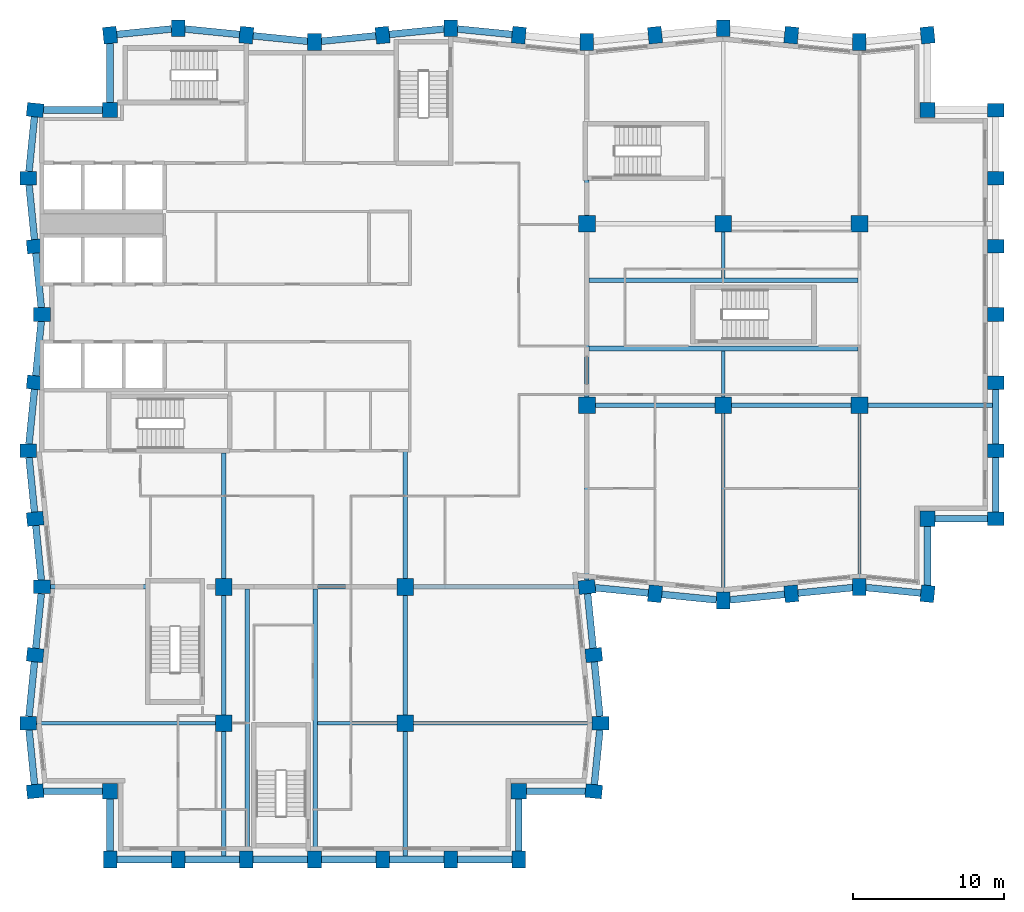
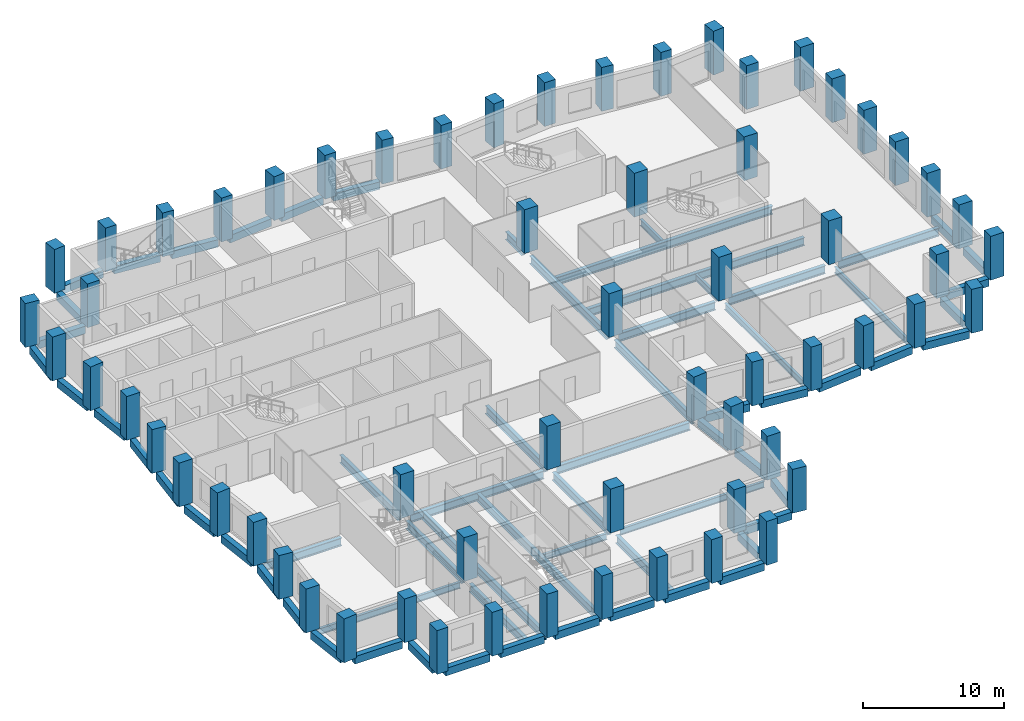
# One storey, part 1 of 10: 66 beams, 62 columns.
"""IFC4 building model written with IfcOpenShell, lengths in metres."""

from ifc_helpers import new_model, si_unit, direction, frame, origin, origin_2d, place, context, subcontext, project, spatial, rectangle, i_section, extrude, material, material_profile, profile_set, type_object, element, save


model = new_model("IFC4")

# Units and contexts
model_context = context("Model", 3, precision=1e-05, world=origin(), true_north=direction((0.0, 1.0)))
body_context = subcontext(model_context, "Body", "Model", "MODEL_VIEW")
ifc_project = project(units=[si_unit("LENGTHUNIT", "METRE"), si_unit("AREAUNIT", "SQUARE_METRE"), si_unit("VOLUMEUNIT", "CUBIC_METRE"), si_unit("PLANEANGLEUNIT", "RADIAN"), si_unit("MASSUNIT", "GRAM", prefix="KILO")], contexts=[model_context])

# Site, building, storey
site_placement = place(None, origin())
site = spatial("IfcSite", under=ifc_project, at=site_placement, CompositionType="ELEMENT")
building_placement = place(site_placement, origin())
building = spatial("IfcBuilding", under=site, at=building_placement, Name="Brondeck Convention Tower", CompositionType="ELEMENT")
storey_placement = place(building_placement, frame((0.0, 0.0, 170.0)))
storey = spatial("IfcBuildingStorey", under=building, at=storey_placement, Name="L41", CompositionType="ELEMENT", Elevation=170.0)

# Columns
ifc_material_1 = material(Name="Concrete C70/85", Category="concrete")
ifc_material_profile_1 = material_profile(ifc_material_1, rectangle(XDim=1.0, YDim=1.0, at=origin_2d()), Name="Corner column 1000x1000 Concrete C70/85")
ifc_profile_set_1 = profile_set([ifc_material_profile_1], Name="Concrete C70/85")
column_type_1 = type_object("IfcColumnType", Name="Corner column 1000x1000 Concrete C70/85", PredefinedType="COLUMN", material=ifc_profile_set_1)
for number, where, z_axis, x_axis, name in (
    (1, (4.5, 13.5, 0.0), (0.0, 0.0, 1.0), (1.0, 0.0, 0.0), "STR-COL-L41-NC-SWB9"),
    (2, (31.5, 13.5, 0.0), (0.0, 0.0, 1.0), (1.0, 0.0, 0.0), "STR-COL-L41-NC-SEB9"),
    (3, (58.5, 31.5, 0.0), (0.0, 0.0, 1.0), (1.0, 0.0, 0.0), "STR-COL-L41-NC-SEA63"),
    (4, (58.5, 58.5, 0.0), (0.0, 0.0, 1.0), (1.0, 0.0, 0.0), "STR-COL-L41-NC-NEA63"),
    (5, (4.5, 58.5, 0.0), (0.0, 0.0, 1.0), (1.0, 0.0, 0.0), "STR-COL-L41-NC-NW"),
):
    element("IfcColumn", number, at=place(storey_placement, frame(where, z_axis=z_axis, x_axis=x_axis)), inside=storey, type_object=column_type_1, Name=name, PredefinedType="COLUMN", context=body_context, shape_type="SweptSolid", body=[
        extrude(rectangle(XDim=1.0, YDim=1.0, at=origin_2d()), origin(), (0.0, 0.0, 1.0), 3.800048828125),
    ])
ifc_material_profile_2 = material_profile(ifc_material_1, rectangle(XDim=1.10009765625, YDim=1.10009765625, at=origin_2d()), Name="Interior column 1100x1100 Concrete C70/85")
ifc_profile_set_2 = profile_set([ifc_material_profile_2], Name="Concrete C70/85")
column_type_2 = type_object("IfcColumnType", Name="Interior column 1100x1100 Concrete C70/85", PredefinedType="COLUMN", material=ifc_profile_set_2)
for number, where, z_axis, x_axis, name in (
    (6, (12.0, 18.0, 0.0), (0.0, 0.0, 1.0), (1.0, 0.0, 0.0), "STR-COL-L41-IC-02"),
    (7, (12.0, 27.0, 0.0), (0.0, 0.0, 1.0), (1.0, 0.0, 0.0), "STR-COL-L41-IC-03"),
    (8, (24.0, 18.0, 0.0), (0.0, 0.0, 1.0), (1.0, 0.0, 0.0), "STR-COL-L41-IC-05"),
    (9, (24.0, 27.0, 0.0), (0.0, 0.0, 1.0), (1.0, 0.0, 0.0), "STR-COL-L41-IC-06"),
    (10, (36.0, 39.0, 0.0), (0.0, 0.0, 1.0), (1.0, 0.0, 0.0), "STR-COL-L41-IC-07"),
    (11, (36.0, 51.0, 0.0), (0.0, 0.0, 1.0), (1.0, 0.0, 0.0), "STR-COL-L41-IC-08"),
    (12, (45.0, 39.0, 0.0), (0.0, 0.0, 1.0), (1.0, 0.0, 0.0), "STR-COL-L41-IC-09"),
    (13, (45.0, 51.0, 0.0), (0.0, 0.0, 1.0), (1.0, 0.0, 0.0), "STR-COL-L41-IC-10"),
    (14, (54.0, 39.0, 0.0), (0.0, 0.0, 1.0), (1.0, 0.0, 0.0), "STR-COL-L41-IC-11"),
    (15, (54.0, 51.0, 0.0), (0.0, 0.0, 1.0), (1.0, 0.0, 0.0), "STR-COL-L41-IC-12"),
):
    element("IfcColumn", number, at=place(storey_placement, frame(where, z_axis=z_axis, x_axis=x_axis)), inside=storey, type_object=column_type_2, Name=name, PredefinedType="COLUMN", context=body_context, shape_type="SweptSolid", body=[
        extrude(rectangle(XDim=1.10009765625, YDim=1.10009765625, at=origin_2d()), origin(), (0.0, 0.0, 1.0), 3.800048828125),
    ])
ifc_material_profile_3 = material_profile(ifc_material_1, rectangle(XDim=0.89990234375, YDim=1.10009765625, at=origin_2d()), Name="Perimeter pier 900x1100 Concrete C70/85")
ifc_profile_set_3 = profile_set([ifc_material_profile_3], Name="Concrete C70/85")
column_type_3 = type_object("IfcColumnType", Name="Perimeter pier 900x1100 Concrete C70/85", PredefinedType="COLUMN", material=ifc_profile_set_3)
for number, where, z_axis, x_axis, name in (
    (16, (4.5, 9.0, 0.0), (0.0, 0.0, 1.0), (1.0, 0.0, 0.0), "STR-COL-L41-PC-B-S9-01"),
    (17, (9.0, 9.0, 0.0), (0.0, 0.0, 1.0), (1.0, 0.0, 0.0), "STR-COL-L41-PC-B-S9-02"),
    (18, (13.5, 9.0, 0.0), (0.0, 0.0, 1.0), (1.0, 0.0, 0.0), "STR-COL-L41-PC-B-S9-03"),
    (19, (18.0, 9.0, 0.0), (0.0, 0.0, 1.0), (1.0, 0.0, 0.0), "STR-COL-L41-PC-B-S9-04"),
    (20, (22.5, 9.0, 0.0), (0.0, 0.0, 1.0), (1.0, 0.0, 0.0), "STR-COL-L41-PC-B-S9-05"),
    (21, (27.0, 9.0, 0.0), (0.0, 0.0, 1.0), (1.0, 0.0, 0.0), "STR-COL-L41-PC-B-S9-06"),
    (22, (31.5, 9.0, 0.0), (0.0, 0.0, 1.0), (1.0, 0.0, 0.0), "STR-COL-L41-PC-B-S9-07"),
    (23, (36.449951171875, 13.5, 0.0), (0.0, 0.0, 1.0), (0.0995038382, 0.995037178292, 0.0), "STR-COL-L41-PC-B-E-03"),
    (24, (36.89990234375, 18.0, 0.0), (0.0, 0.0, 1.0), (0.0, 1.0, 0.0), "STR-COL-L41-PC-B-E-02"),
    (25, (36.449951171875, 22.5, 0.0), (0.0, 0.0, 1.0), (-0.0995038382, 0.995037178292, 0.0), "STR-COL-L41-PC-B-E-01"),
    (26, (36.0, 27.0, 0.0), (0.0, 0.0, 1.0), (-0.0995038382, 0.995037178292, 0.0), "STR-COL-L41-PC-B-E-00"),
    (27, (40.5, 26.550048828125, 0.0), (0.0, 0.0, 1.0), (0.995037178292, -0.0995038382, 0.0), "STR-COL-L41-PC-A-S-01"),
    (28, (45.0, 26.10009765625, 0.0), (0.0, 0.0, 1.0), (1.0, 0.0, 0.0), "STR-COL-L41-PC-A-S-02"),
    (29, (49.5, 26.550048828125, 0.0), (0.0, 0.0, 1.0), (0.995037178292, 0.0995038382, 0.0), "STR-COL-L41-PC-A-S-03"),
    (30, (54.0, 27.0, 0.0), (0.0, 0.0, 1.0), (1.0, 0.0, 0.0), "STR-COL-L41-PC-A-S-04"),
    (31, (58.5, 26.550048828125, 0.0), (0.0, 0.0, 1.0), (0.995037178292, -0.0995038382, 0.0), "STR-COL-L41-PC-A-S-05"),
    (32, (63.0, 31.5, 0.0), (0.0, 0.0, 1.0), (0.0, 1.0, 0.0), "STR-COL-L41-PC-A-E63-01"),
    (33, (63.0, 36.0, 0.0), (0.0, 0.0, 1.0), (0.0, 1.0, 0.0), "STR-COL-L41-PC-A-E63-02"),
    (34, (63.0, 40.5, 0.0), (0.0, 0.0, 1.0), (0.0, 1.0, 0.0), "STR-COL-L41-PC-A-E63-03"),
    (35, (63.0, 45.0, 0.0), (0.0, 0.0, 1.0), (0.0, 1.0, 0.0), "STR-COL-L41-PC-A-E63-04"),
    (36, (63.0, 49.5, 0.0), (0.0, 0.0, 1.0), (0.0, 1.0, 0.0), "STR-COL-L41-PC-A-E63-05"),
    (37, (63.0, 54.0, 0.0), (0.0, 0.0, 1.0), (0.0, 1.0, 0.0), "STR-COL-L41-PC-A-E63-06"),
    (38, (63.0, 58.5, 0.0), (0.0, 0.0, 1.0), (0.0, 1.0, 0.0), "STR-COL-L41-PC-A-E63-07"),
    (39, (58.5, 63.449951171875, 0.0), (0.0, 0.0, 1.0), (-0.995037178292, -0.0995038382, 0.0), "STR-COL-L41-PC-A-N-13"),
    (40, (54.0, 63.0, 0.0), (0.0, 0.0, 1.0), (-1.0, 0.0, 0.0), "STR-COL-L41-PC-A-N-12"),
    (41, (49.5, 63.449951171875, 0.0), (0.0, 0.0, 1.0), (-0.995037178292, 0.0995038382, 0.0), "STR-COL-L41-PC-A-N-11"),
    (42, (45.0, 63.89990234375, 0.0), (0.0, 0.0, 1.0), (-1.0, 0.0, 0.0), "STR-COL-L41-PC-A-N-10"),
    (43, (40.5, 63.449951171875, 0.0), (0.0, 0.0, 1.0), (-0.995037178292, -0.0995038382, 0.0), "STR-COL-L41-PC-A-N-09"),
    (44, (36.0, 63.0, 0.0), (0.0, 0.0, 1.0), (-1.0, 0.0, 0.0), "STR-COL-L41-PC-A-N-08"),
    (45, (31.5, 63.449951171875, 0.0), (0.0, 0.0, 1.0), (-0.995037178292, 0.0995038382, 0.0), "STR-COL-L41-PC-A-N-07"),
    (46, (27.0, 63.89990234375, 0.0), (0.0, 0.0, 1.0), (-1.0, 0.0, 0.0), "STR-COL-L41-PC-A-N-06"),
    (47, (22.5, 63.449951171875, 0.0), (0.0, 0.0, 1.0), (-0.995037178292, -0.0995038382, 0.0), "STR-COL-L41-PC-A-N-05"),
    (48, (18.0, 63.0, 0.0), (0.0, 0.0, 1.0), (-1.0, 0.0, 0.0), "STR-COL-L41-PC-A-N-04"),
    (49, (13.5, 63.449951171875, 0.0), (0.0, 0.0, 1.0), (-0.995037178292, 0.0995038382, 0.0), "STR-COL-L41-PC-A-N-03"),
    (50, (9.0, 63.89990234375, 0.0), (0.0, 0.0, 1.0), (-1.0, 0.0, 0.0), "STR-COL-L41-PC-A-N-02"),
    (51, (4.5, 63.449951171875, 0.0), (0.0, 0.0, 1.0), (-0.995037178292, -0.0995038382, 0.0), "STR-COL-L41-PC-A-N-01"),
    (52, (-0.449951171875, 58.5, 0.0), (0.0, 0.0, 1.0), (-0.0995038382, -0.995037178292, 0.0), "STR-COL-L41-PC-B-W-01"),
    (53, (-0.89990234375, 54.0, 0.0), (0.0, 0.0, 1.0), (0.0, -1.0, 0.0), "STR-COL-L41-PC-B-W-02"),
    (54, (-0.449951171875, 49.5, 0.0), (0.0, 0.0, 1.0), (0.0995038382, -0.995037178292, 0.0), "STR-COL-L41-PC-B-W-03"),
    (55, (0.0, 45.0, 0.0), (0.0, 0.0, 1.0), (0.0, -1.0, 0.0), "STR-COL-L41-PC-B-W-04"),
    (56, (-0.449951171875, 40.5, 0.0), (0.0, 0.0, 1.0), (-0.0995038382, -0.995037178292, 0.0), "STR-COL-L41-PC-B-W-05"),
    (57, (-0.89990234375, 36.0, 0.0), (0.0, 0.0, 1.0), (0.0, -1.0, 0.0), "STR-COL-L41-PC-B-W-06"),
    (58, (-0.449951171875, 31.5, 0.0), (0.0, 0.0, 1.0), (0.0995038382, -0.995037178292, 0.0), "STR-COL-L41-PC-B-W-07"),
    (59, (0.0, 27.0, 0.0), (0.0, 0.0, 1.0), (0.0, -1.0, 0.0), "STR-COL-L41-PC-B-W-08"),
    (60, (-0.449951171875, 22.5, 0.0), (0.0, 0.0, 1.0), (-0.0995038382, -0.995037178292, 0.0), "STR-COL-L41-PC-B-W-09"),
    (61, (-0.89990234375, 18.0, 0.0), (0.0, 0.0, 1.0), (0.0, -1.0, 0.0), "STR-COL-L41-PC-B-W-10"),
    (62, (-0.449951171875, 13.5, 0.0), (0.0, 0.0, 1.0), (0.0995038382, -0.995037178292, 0.0), "STR-COL-L41-PC-B-W-11"),
):
    element("IfcColumn", number, at=place(storey_placement, frame(where, z_axis=z_axis, x_axis=x_axis)), inside=storey, type_object=column_type_3, Name=name, PredefinedType="COLUMN", context=body_context, shape_type="SweptSolid", body=[
        extrude(rectangle(XDim=0.89990234375, YDim=1.10009765625, at=origin_2d()), origin(), (0.0, 0.0, 1.0), 3.800048828125),
    ])

# Beams
ifc_material_2 = material(Name="Steel S355", Category="steel")
ifc_material_profile_4 = material_profile(ifc_material_2, i_section(OverallWidth=0.2099609375, OverallDepth=0.550048828125, WebThickness=0.010986328125, FlangeThickness=0.01708984375, FilletRadius=0.02392578125, at=origin_2d()), Name="IPE 550")
ifc_profile_set_4 = profile_set([ifc_material_profile_4], Name="Steel S355")
beam_type_1 = type_object("IfcBeamType", Name="Floor beam IPE 550", PredefinedType="BEAM", material=ifc_profile_set_4)
beam_1_placement = place(storey_placement, frame((45.0, 26.64990234375, -0.574951171875), z_axis=(0.0, 1.0, 0.0), x_axis=(-1.0, 0.0, 0.0)))
element("IfcBeam", 63, at=beam_1_placement, inside=storey, type_object=beam_type_1, Name="STR-FB-L41-001", PredefinedType="BEAM", context=body_context, shape_type="SweptSolid", body=[
    extrude(i_section(OverallWidth=0.2099609375, OverallDepth=0.550048828125, WebThickness=0.010986328125, FlangeThickness=0.01708984375, FilletRadius=0.02392578125, at=origin_2d()), origin(), (0.0, 0.0, 1.0), 11.800048828125),
])
beam_2_placement = place(storey_placement, frame((54.0, 27.550048828125, -0.574951171875), z_axis=(0.0, 1.0, 0.0), x_axis=(-1.0, 0.0, 0.0)))
element("IfcBeam", 64, at=beam_2_placement, inside=storey, type_object=beam_type_1, Name="STR-FB-L41-003", PredefinedType="BEAM", context=body_context, shape_type="SweptSolid", body=[
    extrude(i_section(OverallWidth=0.2099609375, OverallDepth=0.550048828125, WebThickness=0.010986328125, FlangeThickness=0.01708984375, FilletRadius=0.02392578125, at=origin_2d()), origin(), (0.0, 0.0, 1.0), 10.89990234375),
])
for number, where, z_axis, x_axis, name in (
    (65, (-0.35009765625, 18.0, -0.574951171875), (1.0, 0.0, 0.0), (0.0, 1.0, 0.0), "STR-FB-L41-006"),
    (66, (24.550048828125, 18.0, -0.574951171875), (1.0, 0.0, 0.0), (0.0, 1.0, 0.0), "STR-FB-L41-007"),
):
    element("IfcBeam", number, at=place(storey_placement, frame(where, z_axis=z_axis, x_axis=x_axis)), inside=storey, type_object=beam_type_1, Name=name, PredefinedType="BEAM", context=body_context, shape_type="SweptSolid", body=[
        extrude(i_section(OverallWidth=0.2099609375, OverallDepth=0.550048828125, WebThickness=0.010986328125, FlangeThickness=0.01708984375, FilletRadius=0.02392578125, at=origin_2d()), origin(), (0.0, 0.0, 1.0), 11.800048828125),
    ])
for number, where, z_axis, x_axis, name in (
    (67, (45.0, 39.550048828125, -0.574951171875), (0.0, 1.0, 0.0), (-1.0, 0.0, 0.0), "STR-FB-L41-008"),
    (68, (45.0, 47.39990234375, -0.574951171875), (0.0, 1.0, 0.0), (-1.0, 0.0, 0.0), "STR-FB-L41-009"),
):
    element("IfcBeam", number, at=place(storey_placement, frame(where, z_axis=z_axis, x_axis=x_axis)), inside=storey, type_object=beam_type_1, Name=name, PredefinedType="BEAM", context=body_context, shape_type="SweptSolid", body=[
        extrude(i_section(OverallWidth=0.2099609375, OverallDepth=0.550048828125, WebThickness=0.010986328125, FlangeThickness=0.01708984375, FilletRadius=0.02392578125, at=origin_2d()), origin(), (0.0, 0.0, 1.0), 3.050048828125),
    ])
beam_3_placement = place(storey_placement, frame((18.199951171875, 18.0, -0.574951171875), z_axis=(1.0, 0.0, 0.0), x_axis=(0.0, 1.0, 0.0)))
element("IfcBeam", 69, at=beam_3_placement, inside=storey, type_object=beam_type_1, Name="STR-FB-L41-010", PredefinedType="BEAM", context=body_context, shape_type="SweptSolid", body=[
    extrude(i_section(OverallWidth=0.2099609375, OverallDepth=0.550048828125, WebThickness=0.010986328125, FlangeThickness=0.01708984375, FilletRadius=0.02392578125, at=origin_2d()), origin(), (0.0, 0.0, 1.0), 5.25),
])
ifc_material_profile_5 = material_profile(ifc_material_2, i_section(OverallWidth=0.300048828125, OverallDepth=0.699951171875, WebThickness=0.01708984375, FlangeThickness=0.031982421875, FilletRadius=0.027099609375, at=origin_2d()), Name="HEB 700")
ifc_profile_set_5 = profile_set([ifc_material_profile_5], Name="Steel S355")
beam_type_2 = type_object("IfcBeamType", Name="Girder HEB 700", PredefinedType="BEAM", material=ifc_profile_set_5)
for number, where, z_axis, x_axis, name in (
    (70, (36.550048828125, 39.0, -0.64990234375), (1.0, 0.0, 0.0), (0.0, 1.0, 0.0), "STR-GR-L41-001"),
    (71, (45.550048828125, 39.0, -0.64990234375), (1.0, 0.0, 0.0), (0.0, 1.0, 0.0), "STR-GR-L41-002"),
):
    element("IfcBeam", number, at=place(storey_placement, frame(where, z_axis=z_axis, x_axis=x_axis)), inside=storey, type_object=beam_type_2, Name=name, PredefinedType="BEAM", context=body_context, shape_type="SweptSolid", body=[
        extrude(i_section(OverallWidth=0.300048828125, OverallDepth=0.699951171875, WebThickness=0.01708984375, FlangeThickness=0.031982421875, FilletRadius=0.027099609375, at=origin_2d()), origin(), (0.0, 0.0, 1.0), 7.89990234375),
    ])
beam_4_placement = place(storey_placement, frame((54.550048828125, 39.0, -0.64990234375), z_axis=(1.0, 0.0, 0.0), x_axis=(0.0, 1.0, 0.0)))
element("IfcBeam", 72, at=beam_4_placement, inside=storey, type_object=beam_type_2, Name="STR-GR-L41-003", PredefinedType="BEAM", context=body_context, shape_type="SweptSolid", body=[
    extrude(i_section(OverallWidth=0.300048828125, OverallDepth=0.699951171875, WebThickness=0.01708984375, FlangeThickness=0.031982421875, FilletRadius=0.027099609375, at=origin_2d()), origin(), (0.0, 0.0, 1.0), 8.224853515625),
])
beam_5_placement = place(storey_placement, frame((36.0, 27.4521484375, -0.64990234375), z_axis=(0.0, 1.0, 0.0), x_axis=(-1.0, 0.0, 0.0)))
element("IfcBeam", 73, at=beam_5_placement, inside=storey, type_object=beam_type_2, Name="STR-GR-L41-007", PredefinedType="BEAM", context=body_context, shape_type="SweptSolid", body=[
    extrude(i_section(OverallWidth=0.300048828125, OverallDepth=0.699951171875, WebThickness=0.01708984375, FlangeThickness=0.031982421875, FilletRadius=0.027099609375, at=origin_2d()), origin(), (0.0, 0.0, 1.0), 10.997802734375),
])
beam_6_placement = place(storey_placement, frame((36.0, 39.550048828125, -0.64990234375), z_axis=(0.0, 1.0, 0.0), x_axis=(-1.0, 0.0, 0.0)))
element("IfcBeam", 74, at=beam_6_placement, inside=storey, type_object=beam_type_2, Name="STR-GR-L41-008", PredefinedType="BEAM", context=body_context, shape_type="SweptSolid", body=[
    extrude(i_section(OverallWidth=0.300048828125, OverallDepth=0.699951171875, WebThickness=0.01708984375, FlangeThickness=0.031982421875, FilletRadius=0.027099609375, at=origin_2d()), origin(), (0.0, 0.0, 1.0), 10.89990234375),
])
beam_7_placement = place(storey_placement, frame((36.0, 51.550048828125, -0.64990234375), z_axis=(0.0, 1.0, 0.0), x_axis=(-1.0, 0.0, 0.0)))
element("IfcBeam", 75, at=beam_7_placement, inside=storey, type_object=beam_type_2, Name="STR-GR-L41-009", PredefinedType="BEAM", context=body_context, shape_type="SweptSolid", body=[
    extrude(i_section(OverallWidth=0.300048828125, OverallDepth=0.699951171875, WebThickness=0.01708984375, FlangeThickness=0.031982421875, FilletRadius=0.027099609375, at=origin_2d()), origin(), (0.0, 0.0, 1.0), 2.329833984375),
])
beam_8_placement = place(storey_placement, frame((12.0, 35.85009765625, -0.64990234375), z_axis=(0.0, -1.0, 0.0), x_axis=(1.0, 0.0, 0.0)))
element("IfcBeam", 76, at=beam_8_placement, inside=storey, type_object=beam_type_2, Name="STR-GR-L41-011", PredefinedType="BEAM", context=body_context, shape_type="SweptSolid", body=[
    extrude(i_section(OverallWidth=0.300048828125, OverallDepth=0.699951171875, WebThickness=0.01708984375, FlangeThickness=0.031982421875, FilletRadius=0.027099609375, at=origin_2d()), origin(), (0.0, 0.0, 1.0), 8.300048828125),
])
beam_9_placement = place(storey_placement, frame((12.0, 26.449951171875, -0.64990234375), z_axis=(0.0, -1.0, 0.0), x_axis=(1.0, 0.0, 0.0)))
element("IfcBeam", 77, at=beam_9_placement, inside=storey, type_object=beam_type_2, Name="STR-GR-L41-012", PredefinedType="BEAM", context=body_context, shape_type="SweptSolid", body=[
    extrude(i_section(OverallWidth=0.300048828125, OverallDepth=0.699951171875, WebThickness=0.01708984375, FlangeThickness=0.031982421875, FilletRadius=0.027099609375, at=origin_2d()), origin(), (0.0, 0.0, 1.0), 7.89990234375),
])
beam_10_placement = place(storey_placement, frame((12.0, 17.449951171875, -0.64990234375), z_axis=(0.0, -1.0, 0.0), x_axis=(1.0, 0.0, 0.0)))
element("IfcBeam", 78, at=beam_10_placement, inside=storey, type_object=beam_type_2, Name="STR-GR-L41-013", PredefinedType="BEAM", context=body_context, shape_type="SweptSolid", body=[
    extrude(i_section(OverallWidth=0.300048828125, OverallDepth=0.699951171875, WebThickness=0.01708984375, FlangeThickness=0.031982421875, FilletRadius=0.027099609375, at=origin_2d()), origin(), (0.0, 0.0, 1.0), 8.224853515625),
])
beam_11_placement = place(storey_placement, frame((24.0, 35.955078125, -0.64990234375), z_axis=(0.0, -1.0, 0.0), x_axis=(1.0, 0.0, 0.0)))
element("IfcBeam", 79, at=beam_11_placement, inside=storey, type_object=beam_type_2, Name="STR-GR-L41-014", PredefinedType="BEAM", context=body_context, shape_type="SweptSolid", body=[
    extrude(i_section(OverallWidth=0.300048828125, OverallDepth=0.699951171875, WebThickness=0.01708984375, FlangeThickness=0.031982421875, FilletRadius=0.027099609375, at=origin_2d()), origin(), (0.0, 0.0, 1.0), 8.405029296875),
])
beam_12_placement = place(storey_placement, frame((24.0, 26.449951171875, -0.64990234375), z_axis=(0.0, -1.0, 0.0), x_axis=(1.0, 0.0, 0.0)))
element("IfcBeam", 80, at=beam_12_placement, inside=storey, type_object=beam_type_2, Name="STR-GR-L41-015", PredefinedType="BEAM", context=body_context, shape_type="SweptSolid", body=[
    extrude(i_section(OverallWidth=0.300048828125, OverallDepth=0.699951171875, WebThickness=0.01708984375, FlangeThickness=0.031982421875, FilletRadius=0.027099609375, at=origin_2d()), origin(), (0.0, 0.0, 1.0), 7.89990234375),
])
beam_13_placement = place(storey_placement, frame((24.0, 17.449951171875, -0.64990234375), z_axis=(0.0, -1.0, 0.0), x_axis=(1.0, 0.0, 0.0)))
element("IfcBeam", 81, at=beam_13_placement, inside=storey, type_object=beam_type_2, Name="STR-GR-L41-016", PredefinedType="BEAM", context=body_context, shape_type="SweptSolid", body=[
    extrude(i_section(OverallWidth=0.300048828125, OverallDepth=0.699951171875, WebThickness=0.01708984375, FlangeThickness=0.031982421875, FilletRadius=0.027099609375, at=origin_2d()), origin(), (0.0, 0.0, 1.0), 8.224853515625),
])
beam_14_placement = place(storey_placement, frame((0.550048828125, 27.0, -0.64990234375), z_axis=(1.0, 0.0, 0.0), x_axis=(0.0, 1.0, 0.0)))
element("IfcBeam", 82, at=beam_14_placement, inside=storey, type_object=beam_type_2, Name="STR-GR-L41-017", PredefinedType="BEAM", context=body_context, shape_type="SweptSolid", body=[
    extrude(i_section(OverallWidth=0.300048828125, OverallDepth=0.699951171875, WebThickness=0.01708984375, FlangeThickness=0.031982421875, FilletRadius=0.027099609375, at=origin_2d()), origin(), (0.0, 0.0, 1.0), 6.329833984375),
])
beam_15_placement = place(storey_placement, frame((12.550048828125, 27.0, -0.64990234375), z_axis=(1.0, 0.0, 0.0), x_axis=(0.0, 1.0, 0.0)))
element("IfcBeam", 83, at=beam_15_placement, inside=storey, type_object=beam_type_2, Name="STR-GR-L41-018", PredefinedType="BEAM", context=body_context, shape_type="SweptSolid", body=[
    extrude(i_section(OverallWidth=0.300048828125, OverallDepth=0.699951171875, WebThickness=0.01708984375, FlangeThickness=0.031982421875, FilletRadius=0.027099609375, at=origin_2d()), origin(), (0.0, 0.0, 1.0), 10.89990234375),
])
beam_16_placement = place(storey_placement, frame((24.550048828125, 27.0, -0.64990234375), z_axis=(1.0, 0.0, 0.0), x_axis=(0.0, 1.0, 0.0)))
element("IfcBeam", 84, at=beam_16_placement, inside=storey, type_object=beam_type_2, Name="STR-GR-L41-019", PredefinedType="BEAM", context=body_context, shape_type="SweptSolid", body=[
    extrude(i_section(OverallWidth=0.300048828125, OverallDepth=0.699951171875, WebThickness=0.01708984375, FlangeThickness=0.031982421875, FilletRadius=0.027099609375, at=origin_2d()), origin(), (0.0, 0.0, 1.0), 10.897216796875),
])
for number, where, z_axis, x_axis, name in (
    (85, (36.14990234375, 42.75, -0.64990234375), (1.0, 0.0, 0.0), (0.0, 1.0, 0.0), "STR-GR-L41-020"),
    (86, (36.14990234375, 47.25, -0.64990234375), (1.0, 0.0, 0.0), (0.0, 1.0, 0.0), "STR-GR-L41-021"),
):
    element("IfcBeam", number, at=place(storey_placement, frame(where, z_axis=z_axis, x_axis=x_axis)), inside=storey, type_object=beam_type_2, Name=name, PredefinedType="BEAM", context=body_context, shape_type="SweptSolid", body=[
        extrude(i_section(OverallWidth=0.300048828125, OverallDepth=0.699951171875, WebThickness=0.01708984375, FlangeThickness=0.031982421875, FilletRadius=0.027099609375, at=origin_2d()), origin(), (0.0, 0.0, 1.0), 17.7451171875),
    ])
for number, where, z_axis, x_axis, name in (
    (87, (13.550048828125, 9.550048828125, -0.64990234375), (0.0, 1.0, 0.0), (-1.0, 0.0, 0.0), "STR-GR-L41-022"),
    (88, (18.050048828125, 9.550048828125, -0.64990234375), (0.0, 1.0, 0.0), (-1.0, 0.0, 0.0), "STR-GR-L41-023"),
):
    element("IfcBeam", number, at=place(storey_placement, frame(where, z_axis=z_axis, x_axis=x_axis)), inside=storey, type_object=beam_type_2, Name=name, PredefinedType="BEAM", context=body_context, shape_type="SweptSolid", body=[
        extrude(i_section(OverallWidth=0.300048828125, OverallDepth=0.699951171875, WebThickness=0.01708984375, FlangeThickness=0.031982421875, FilletRadius=0.027099609375, at=origin_2d()), origin(), (0.0, 0.0, 1.0), 17.300048828125),
    ])
ifc_material_profile_6 = material_profile(ifc_material_1, rectangle(XDim=0.449951171875, YDim=0.64990234375, at=origin_2d()), Name="Precast spandrel 450x650 Concrete C70/85")
ifc_profile_set_6 = profile_set([ifc_material_profile_6], Name="Concrete C70/85")
beam_type_3 = type_object("IfcBeamType", Name="Precast spandrel 450x650 Concrete C70/85", PredefinedType="SPANDREL", material=ifc_profile_set_6)
for number, where, z_axis, x_axis, name in (
    (89, (4.949951171875, 9.0, -0.324951171875), (1.0, 0.0, 0.0), (0.0, 1.0, 0.0), "STR-SP-L41-001"),
    (90, (9.449951171875, 9.0, -0.324951171875), (1.0, 0.0, 0.0), (0.0, 1.0, 0.0), "STR-SP-L41-002"),
    (91, (13.949951171875, 9.0, -0.324951171875), (1.0, 0.0, 0.0), (0.0, 1.0, 0.0), "STR-SP-L41-003"),
    (92, (18.449951171875, 9.0, -0.324951171875), (1.0, 0.0, 0.0), (0.0, 1.0, 0.0), "STR-SP-L41-004"),
    (93, (22.949951171875, 9.0, -0.324951171875), (1.0, 0.0, 0.0), (0.0, 1.0, 0.0), "STR-SP-L41-005"),
    (94, (27.449951171875, 9.0, -0.324951171875), (1.0, 0.0, 0.0), (0.0, 1.0, 0.0), "STR-SP-L41-006"),
):
    element("IfcBeam", number, at=place(storey_placement, frame(where, z_axis=z_axis, x_axis=x_axis)), inside=storey, type_object=beam_type_3, Name=name, PredefinedType="SPANDREL", context=body_context, shape_type="SweptSolid", body=[
        extrude(rectangle(XDim=0.449951171875, YDim=0.64990234375, at=origin_2d()), origin(), (0.0, 0.0, 1.0), 3.60009765625),
    ])
beam_17_placement = place(storey_placement, frame((31.5, 9.550048828125, -0.324951171875), z_axis=(0.0, 1.0, 0.0), x_axis=(-1.0, 0.0, 0.0)))
element("IfcBeam", 95, at=beam_17_placement, inside=storey, type_object=beam_type_3, Name="STR-SP-L41-007", PredefinedType="SPANDREL", context=body_context, shape_type="SweptSolid", body=[
    extrude(rectangle(XDim=0.449951171875, YDim=0.64990234375, at=origin_2d()), origin(), (0.0, 0.0, 1.0), 3.449951171875),
])
beam_18_placement = place(storey_placement, frame((32.0, 13.5, -0.324951171875), z_axis=(1.0, 0.0, 0.0), x_axis=(0.0, 1.0, 0.0)))
element("IfcBeam", 96, at=beam_18_placement, inside=storey, type_object=beam_type_3, Name="STR-SP-L41-008", PredefinedType="SPANDREL", context=body_context, shape_type="SweptSolid", body=[
    extrude(rectangle(XDim=0.449951171875, YDim=0.64990234375, at=origin_2d()), origin(), (0.0, 0.0, 1.0), 3.897216796875),
])
for number, where, z_axis, x_axis, name in (
    (97, (36.494873046875, 13.94775390625, -0.324951171875), (0.099470334057, 0.995040528141, 0.0), (-0.995040528141, 0.099470334057, 0.0), "STR-SP-L41-009"),
    (98, (36.85498046875, 18.449951171875, -0.324951171875), (-0.099470334057, 0.995040528141, 0.0), (-0.995040528141, -0.099470334057, 0.0), "STR-SP-L41-010"),
):
    element("IfcBeam", number, at=place(storey_placement, frame(where, z_axis=z_axis, x_axis=x_axis)), inside=storey, type_object=beam_type_3, Name=name, PredefinedType="SPANDREL", context=body_context, shape_type="SweptSolid", body=[
        extrude(rectangle(XDim=0.449951171875, YDim=0.64990234375, at=origin_2d()), origin(), (0.0, 0.0, 1.0), 3.620361328125),
    ])
beam_19_placement = place(storey_placement, frame((36.4052734375, 22.94775390625, -0.324951171875), z_axis=(-0.099543756114, 0.995033185687, 0.0), x_axis=(-0.995033185687, -0.099543756114, 0.0)))
element("IfcBeam", 99, at=beam_19_placement, inside=storey, type_object=beam_type_3, Name="STR-SP-L41-011", PredefinedType="SPANDREL", context=body_context, shape_type="SweptSolid", body=[
    extrude(rectangle(XDim=0.449951171875, YDim=0.64990234375, at=origin_2d()), origin(), (0.0, 0.0, 1.0), 3.62255859375),
])
beam_20_placement = place(storey_placement, frame((36.558349609375, 26.944091796875, -0.324951171875), z_axis=(0.995037878598, -0.099496834901, 0.0), x_axis=(0.099496834901, 0.995037878598, 0.0)))
element("IfcBeam", 100, at=beam_20_placement, inside=storey, type_object=beam_type_3, Name="STR-SP-L41-012", PredefinedType="SPANDREL", context=body_context, shape_type="SweptSolid", body=[
    extrude(rectangle(XDim=0.449951171875, YDim=0.64990234375, at=origin_2d()), origin(), (0.0, 0.0, 1.0), 3.51123046875),
])
for number, where, z_axis, x_axis, name in (
    (101, (40.94775390625, 26.505126953125, -0.324951171875), (0.995040528141, -0.099470334057, 0.0), (0.099470334057, 0.995040528141, 0.0), "STR-SP-L41-013"),
    (102, (45.449951171875, 26.14501953125, -0.324951171875), (0.995040528141, 0.099470334057, 0.0), (-0.099470334057, 0.995040528141, 0.0), "STR-SP-L41-014"),
    (103, (49.94775390625, 26.5947265625, -0.324951171875), (0.995033851182, 0.099537103649, 0.0), (-0.099537103649, 0.995033851182, 0.0), "STR-SP-L41-015"),
    (104, (54.449951171875, 26.955078125, -0.324951171875), (0.995033851182, -0.099537103649, 0.0), (0.099537103649, 0.995033851182, 0.0), "STR-SP-L41-016"),
):
    element("IfcBeam", number, at=place(storey_placement, frame(where, z_axis=z_axis, x_axis=x_axis)), inside=storey, type_object=beam_type_3, Name=name, PredefinedType="SPANDREL", context=body_context, shape_type="SweptSolid", body=[
        extrude(rectangle(XDim=0.449951171875, YDim=0.64990234375, at=origin_2d()), origin(), (0.0, 0.0, 1.0), 3.620361328125),
    ])
beam_21_placement = place(storey_placement, frame((58.5, 27.102783203125, -0.324951171875), z_axis=(0.0, 1.0, 0.0), x_axis=(-1.0, 0.0, 0.0)))
element("IfcBeam", 105, at=beam_21_placement, inside=storey, type_object=beam_type_3, Name="STR-SP-L41-017", PredefinedType="SPANDREL", context=body_context, shape_type="SweptSolid", body=[
    extrude(rectangle(XDim=0.449951171875, YDim=0.64990234375, at=origin_2d()), origin(), (0.0, 0.0, 1.0), 3.897216796875),
])
beam_22_placement = place(storey_placement, frame((59.0, 31.5, -0.324951171875), z_axis=(1.0, 0.0, 0.0), x_axis=(0.0, 1.0, 0.0)))
element("IfcBeam", 106, at=beam_22_placement, inside=storey, type_object=beam_type_3, Name="STR-SP-L41-018", PredefinedType="SPANDREL", context=body_context, shape_type="SweptSolid", body=[
    extrude(rectangle(XDim=0.449951171875, YDim=0.64990234375, at=origin_2d()), origin(), (0.0, 0.0, 1.0), 3.449951171875),
])
for number, where, z_axis, x_axis, name in (
    (107, (63.0, 31.949951171875, -0.324951171875), (0.0, 1.0, 0.0), (-1.0, 0.0, 0.0), "STR-SP-L41-019"),
    (108, (63.0, 36.449951171875, -0.324951171875), (0.0, 1.0, 0.0), (-1.0, 0.0, 0.0), "STR-SP-L41-020"),
):
    element("IfcBeam", number, at=place(storey_placement, frame(where, z_axis=z_axis, x_axis=x_axis)), inside=storey, type_object=beam_type_3, Name=name, PredefinedType="SPANDREL", context=body_context, shape_type="SweptSolid", body=[
        extrude(rectangle(XDim=0.449951171875, YDim=0.64990234375, at=origin_2d()), origin(), (0.0, 0.0, 1.0), 3.60009765625),
    ])
for number, where, z_axis, x_axis, name in (
    (109, (31.05224609375, 63.494873046875, -0.324951171875), (-0.995040528141, 0.099470334057, 0.0), (-0.099470334057, -0.995040528141, 0.0), "STR-SP-L41-033"),
    (110, (26.550048828125, 63.85498046875, -0.324951171875), (-0.995040528141, -0.099470334057, 0.0), (0.099470334057, -0.995040528141, 0.0), "STR-SP-L41-034"),
    (111, (22.05224609375, 63.4052734375, -0.324951171875), (-0.995033851182, -0.099537103649, 0.0), (0.099537103649, -0.995033851182, 0.0), "STR-SP-L41-035"),
    (112, (17.550048828125, 63.044921875, -0.324951171875), (-0.995033851182, 0.099537103649, 0.0), (-0.099537103649, -0.995033851182, 0.0), "STR-SP-L41-036"),
    (113, (13.05224609375, 63.494873046875, -0.324951171875), (-0.995040528141, 0.099470334057, 0.0), (-0.099470334057, -0.995040528141, 0.0), "STR-SP-L41-037"),
    (114, (8.550048828125, 63.85498046875, -0.324951171875), (-0.995040528141, -0.099470334057, 0.0), (0.099470334057, -0.995040528141, 0.0), "STR-SP-L41-038"),
):
    element("IfcBeam", number, at=place(storey_placement, frame(where, z_axis=z_axis, x_axis=x_axis)), inside=storey, type_object=beam_type_3, Name=name, PredefinedType="SPANDREL", context=body_context, shape_type="SweptSolid", body=[
        extrude(rectangle(XDim=0.449951171875, YDim=0.64990234375, at=origin_2d()), origin(), (0.0, 0.0, 1.0), 3.620361328125),
    ])
for number, where, z_axis, x_axis, name in (
    (115, (4.5, 62.897216796875, -0.324951171875), (0.0, -1.0, 0.0), (1.0, 0.0, 0.0), "STR-SP-L41-039"),
    (116, (4.0, 58.5, -0.324951171875), (-1.0, 0.0, 0.0), (0.0, -1.0, 0.0), "STR-SP-L41-040"),
):
    element("IfcBeam", number, at=place(storey_placement, frame(where, z_axis=z_axis, x_axis=x_axis)), inside=storey, type_object=beam_type_3, Name=name, PredefinedType="SPANDREL", context=body_context, shape_type="SweptSolid", body=[
        extrude(rectangle(XDim=0.449951171875, YDim=0.64990234375, at=origin_2d()), origin(), (0.0, 0.0, 1.0), 3.897216796875),
    ])
for number, where, z_axis, x_axis, name in (
    (117, (-0.494873046875, 58.05224609375, -0.324951171875), (-0.099470334057, -0.995040528141, 0.0), (0.995040528141, -0.099470334057, 0.0), "STR-SP-L41-041"),
    (118, (-0.85498046875, 53.550048828125, -0.324951171875), (0.099470334057, -0.995040528141, 0.0), (0.995040528141, 0.099470334057, 0.0), "STR-SP-L41-042"),
    (119, (-0.4052734375, 49.05224609375, -0.324951171875), (0.099537103649, -0.995033851182, 0.0), (0.995033851182, 0.099537103649, 0.0), "STR-SP-L41-043"),
    (120, (-0.044921875, 44.550048828125, -0.324951171875), (-0.099537103649, -0.995033851182, 0.0), (0.995033851182, -0.099537103649, 0.0), "STR-SP-L41-044"),
    (121, (-0.494873046875, 40.05224609375, -0.324951171875), (-0.099470334057, -0.995040528141, 0.0), (0.995040528141, -0.099470334057, 0.0), "STR-SP-L41-045"),
    (122, (-0.85498046875, 35.550048828125, -0.324951171875), (0.099470334057, -0.995040528141, 0.0), (0.995040528141, 0.099470334057, 0.0), "STR-SP-L41-046"),
    (123, (-0.4052734375, 31.05224609375, -0.324951171875), (0.099537103649, -0.995033851182, 0.0), (0.995033851182, 0.099537103649, 0.0), "STR-SP-L41-047"),
    (124, (-0.044921875, 26.550048828125, -0.324951171875), (-0.099537103649, -0.995033851182, 0.0), (0.995033851182, -0.099537103649, 0.0), "STR-SP-L41-048"),
    (125, (-0.494873046875, 22.05224609375, -0.324951171875), (-0.099470334057, -0.995040528141, 0.0), (0.995040528141, -0.099470334057, 0.0), "STR-SP-L41-049"),
    (126, (-0.85498046875, 17.550048828125, -0.324951171875), (0.099470334057, -0.995040528141, 0.0), (0.995040528141, 0.099470334057, 0.0), "STR-SP-L41-050"),
):
    element("IfcBeam", number, at=place(storey_placement, frame(where, z_axis=z_axis, x_axis=x_axis)), inside=storey, type_object=beam_type_3, Name=name, PredefinedType="SPANDREL", context=body_context, shape_type="SweptSolid", body=[
        extrude(rectangle(XDim=0.449951171875, YDim=0.64990234375, at=origin_2d()), origin(), (0.0, 0.0, 1.0), 3.620361328125),
    ])
beam_23_placement = place(storey_placement, frame((0.102783203125, 13.5, -0.324951171875), z_axis=(1.0, 0.0, 0.0), x_axis=(0.0, 1.0, 0.0)))
element("IfcBeam", 127, at=beam_23_placement, inside=storey, type_object=beam_type_3, Name="STR-SP-L41-051", PredefinedType="SPANDREL", context=body_context, shape_type="SweptSolid", body=[
    extrude(rectangle(XDim=0.449951171875, YDim=0.64990234375, at=origin_2d()), origin(), (0.0, 0.0, 1.0), 3.897216796875),
])
beam_24_placement = place(storey_placement, frame((4.5, 13.0, -0.324951171875), z_axis=(0.0, -1.0, 0.0), x_axis=(1.0, 0.0, 0.0)))
element("IfcBeam", 128, at=beam_24_placement, inside=storey, type_object=beam_type_3, Name="STR-SP-L41-052", PredefinedType="SPANDREL", context=body_context, shape_type="SweptSolid", body=[
    extrude(rectangle(XDim=0.449951171875, YDim=0.64990234375, at=origin_2d()), origin(), (0.0, 0.0, 1.0), 3.449951171875),
])

save(model, "model.ifc")
